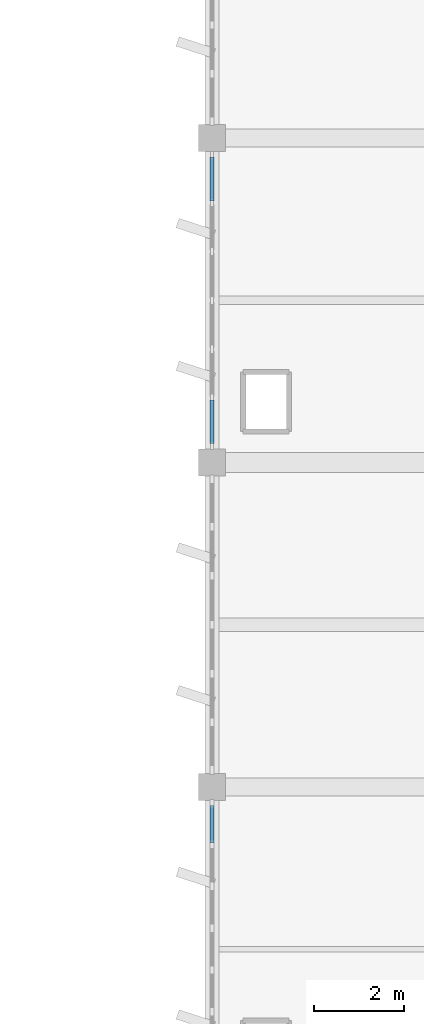
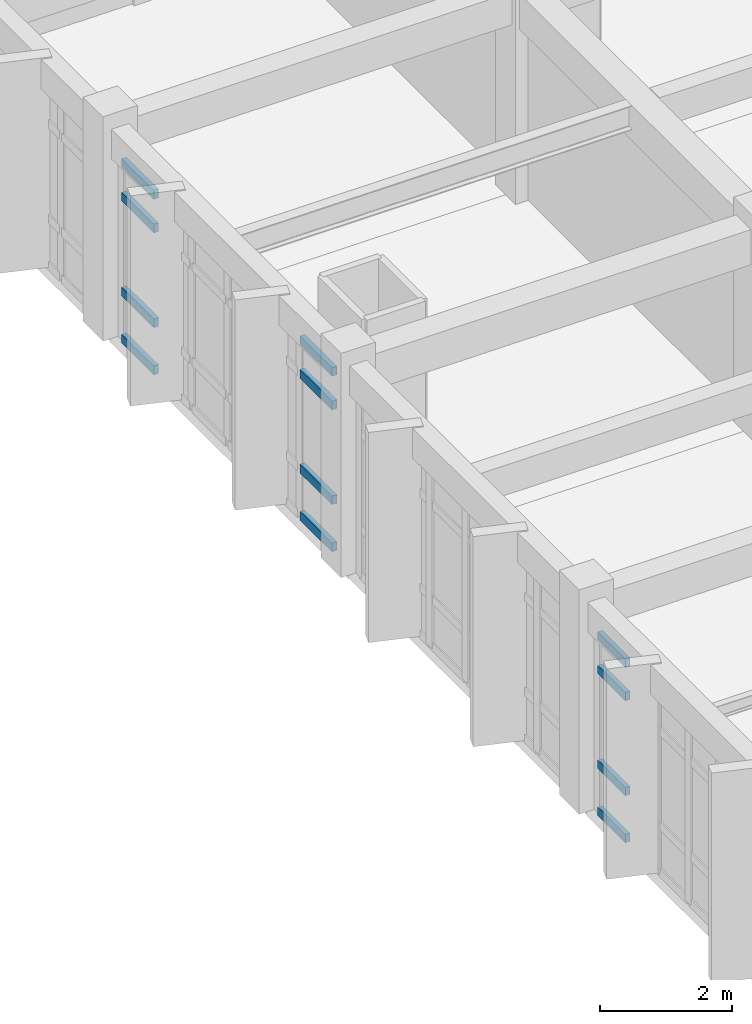
# One storey, part 30 of 62: 12 members, 2 elements without a shape of their own.
"""IFC4 building model written with IfcOpenShell, lengths in metres."""

from ifc_helpers import new_model, si_unit, direction, frame, origin, origin_2d, place, context, subcontext, project, spatial, rectangle, extrude, material, layer, layer_set, material_profile, profile_set, type_object, element, aggregate, save


model = new_model("IFC4")

# Units and contexts
model_context = context("Model", 3, precision=1e-05, world=origin(), true_north=direction((0.0, 1.0)))
body_context = subcontext(model_context, "Body", "Model", "MODEL_VIEW")
ifc_project = project(units=[si_unit("LENGTHUNIT", "METRE"), si_unit("AREAUNIT", "SQUARE_METRE"), si_unit("VOLUMEUNIT", "CUBIC_METRE"), si_unit("PLANEANGLEUNIT", "RADIAN"), si_unit("MASSUNIT", "GRAM", prefix="KILO")], contexts=[model_context])

# Site, building, storey
site_placement = place(None, origin())
site = spatial("IfcSite", under=ifc_project, at=site_placement, CompositionType="ELEMENT")
building_placement = place(site_placement, origin())
building = spatial("IfcBuilding", under=site, at=building_placement, Name="Kavelor Marine Aquarium", CompositionType="ELEMENT")
storey_placement = place(building_placement, frame((0.0, 0.0, 13.5)))
storey = spatial("IfcBuildingStorey", under=building, at=storey_placement, Name="L03", CompositionType="ELEMENT", Elevation=13.5)

# Curtain wall, members
ifc_material_1 = material(Name="Thermally Broken Aluminium and Low-E Glass", Category="aluminium")
ifc_layer_1 = layer(ifc_material_1, 0.156005859375)
ifc_layer_set_1 = layer_set([ifc_layer_1], Name="CW-SYS2")
curtain_wall_type_1 = type_object("IfcCurtainWallType", Name="CW-SYS2", PredefinedType="USERDEFINED", material=ifc_layer_set_1)
curtain_wall_1_placement = place(storey_placement, origin())
curtain_wall_1 = element("IfcCurtainWall", 1, at=curtain_wall_1_placement, inside=storey, type_object=curtain_wall_type_1, Name="cw:y:L03:16_08", ObjectType="Curtain Wall", PredefinedType="USERDEFINED")
ifc_material_2 = material(Name="Anodised Aluminium Alloy 6063-T6", Category="aluminium")
ifc_material_profile_1 = material_profile(ifc_material_2, rectangle(XDim=0.080078125, YDim=0.155029296875, at=origin_2d()), Name="CW-TRN 80x155")
ifc_profile_set_1 = profile_set([ifc_material_profile_1], Name="Anodised Aluminium Alloy 6063-T6")
member_type_1 = type_object("IfcMemberType", Name="CWT-2", PredefinedType="USERDEFINED", material=ifc_profile_set_1)
member_1_placement = place(storey_placement, frame((118.39990234375, 67.18994140625, 0.032470703125), z_axis=(0.0, -1.0, 0.0), x_axis=(1.0, 0.0, 0.0)))
member_1 = element("IfcMember", 2, at=member_1_placement, type_object=member_type_1, Name="CW02 transom 1.1", ObjectType="TRANSOM", PredefinedType="USERDEFINED", context=body_context, shape_type="SweptSolid", body=[
    extrude(rectangle(XDim=0.080078125, YDim=0.155029296875, at=origin_2d()), origin(), (0.0, 0.0, 1.0), 0.83251953125),
])
member_2_placement = place(storey_placement, frame((118.39990234375, 67.18994140625, 0.89990234375), z_axis=(0.0, -1.0, 0.0), x_axis=(1.0, 0.0, 0.0)))
member_2 = element("IfcMember", 3, at=member_2_placement, type_object=member_type_1, Name="CW02 transom 1.2", ObjectType="TRANSOM", PredefinedType="USERDEFINED", context=body_context, shape_type="SweptSolid", body=[
    extrude(rectangle(XDim=0.080078125, YDim=0.155029296875, at=origin_2d()), origin(), (0.0, 0.0, 1.0), 0.83251953125),
])
member_3_placement = place(storey_placement, frame((118.39990234375, 67.18994140625, 2.64990234375), z_axis=(0.0, -1.0, 0.0), x_axis=(1.0, 0.0, 0.0)))
member_3 = element("IfcMember", 4, at=member_3_placement, type_object=member_type_1, Name="CW02 transom 1.3", ObjectType="TRANSOM", PredefinedType="USERDEFINED", context=body_context, shape_type="SweptSolid", body=[
    extrude(rectangle(XDim=0.080078125, YDim=0.155029296875, at=origin_2d()), origin(), (0.0, 0.0, 1.0), 0.83251953125),
])
member_4_placement = place(storey_placement, frame((118.39990234375, 67.18994140625, 3.267578125), z_axis=(0.0, -1.0, 0.0), x_axis=(1.0, 0.0, 0.0)))
member_4 = element("IfcMember", 5, at=member_4_placement, type_object=member_type_1, Name="CW02 transom 1.4", ObjectType="TRANSOM", PredefinedType="USERDEFINED", context=body_context, shape_type="SweptSolid", body=[
    extrude(rectangle(XDim=0.080078125, YDim=0.155029296875, at=origin_2d()), origin(), (0.0, 0.0, 1.0), 0.83251953125),
])
aggregate(curtain_wall_1, [member_1, member_2, member_3, member_4])

ifc_material_3 = material(Name="Thermally Broken Aluminium and Low-E Glass", Category="aluminium")
ifc_layer_2 = layer(ifc_material_3, 0.172119140625)
ifc_layer_set_2 = layer_set([ifc_layer_2], Name="CW-SYS4")
curtain_wall_type_2 = type_object("IfcCurtainWallType", Name="CW-SYS4", PredefinedType="USERDEFINED", material=ifc_layer_set_2)
curtain_wall_2_placement = place(storey_placement, origin())
curtain_wall_2 = element("IfcCurtainWall", 6, at=curtain_wall_2_placement, inside=storey, type_object=curtain_wall_type_2, Name="cw:y:L03:16_10", ObjectType="Curtain Wall", PredefinedType="USERDEFINED")
ifc_material_4 = material(Name="Anodised Aluminium Alloy 6063-T6", Category="aluminium")
ifc_material_profile_2 = material_profile(ifc_material_4, rectangle(XDim=0.0849609375, YDim=0.159912109375, at=origin_2d()), Name="CW-TRN 85x160")
ifc_profile_set_2 = profile_set([ifc_material_profile_2], Name="Anodised Aluminium Alloy 6063-T6")
member_type_2 = type_object("IfcMemberType", Name="CWT-3", PredefinedType="USERDEFINED", material=ifc_profile_set_2)
member_5_placement = place(storey_placement, frame((118.39990234375, 81.580078125, 0.030029296875), z_axis=(0.0, -1.0, 0.0), x_axis=(1.0, 0.0, 0.0)))
member_5 = element("IfcMember", 7, at=member_5_placement, type_object=member_type_2, Name="CW04 transom 1.1", ObjectType="TRANSOM", PredefinedType="USERDEFINED", context=body_context, shape_type="SweptSolid", body=[
    extrude(rectangle(XDim=0.0849609375, YDim=0.159912109375, at=origin_2d()), origin(), (0.0, 0.0, 1.0), 0.97265625),
])
member_6_placement = place(storey_placement, frame((118.39990234375, 81.580078125, 0.89990234375), z_axis=(0.0, -1.0, 0.0), x_axis=(1.0, 0.0, 0.0)))
member_6 = element("IfcMember", 8, at=member_6_placement, type_object=member_type_2, Name="CW04 transom 1.2", ObjectType="TRANSOM", PredefinedType="USERDEFINED", context=body_context, shape_type="SweptSolid", body=[
    extrude(rectangle(XDim=0.0849609375, YDim=0.159912109375, at=origin_2d()), origin(), (0.0, 0.0, 1.0), 0.97265625),
])
member_7_placement = place(storey_placement, frame((118.39990234375, 81.580078125, 2.64990234375), z_axis=(0.0, -1.0, 0.0), x_axis=(1.0, 0.0, 0.0)))
member_7 = element("IfcMember", 9, at=member_7_placement, type_object=member_type_2, Name="CW04 transom 1.3", ObjectType="TRANSOM", PredefinedType="USERDEFINED", context=body_context, shape_type="SweptSolid", body=[
    extrude(rectangle(XDim=0.0849609375, YDim=0.159912109375, at=origin_2d()), origin(), (0.0, 0.0, 1.0), 0.97265625),
])
member_8_placement = place(storey_placement, frame((118.39990234375, 81.580078125, 3.27001953125), z_axis=(0.0, -1.0, 0.0), x_axis=(1.0, 0.0, 0.0)))
member_8 = element("IfcMember", 10, at=member_8_placement, type_object=member_type_2, Name="CW04 transom 1.4", ObjectType="TRANSOM", PredefinedType="USERDEFINED", context=body_context, shape_type="SweptSolid", body=[
    extrude(rectangle(XDim=0.0849609375, YDim=0.159912109375, at=origin_2d()), origin(), (0.0, 0.0, 1.0), 0.97265625),
])
member_9_placement = place(storey_placement, frame((118.39990234375, 76.1923828125, 0.030029296875), z_axis=(0.0, -1.0, 0.0), x_axis=(1.0, 0.0, 0.0)))
member_9 = element("IfcMember", 11, at=member_9_placement, type_object=member_type_2, Name="CW04 transom 6.1", ObjectType="TRANSOM", PredefinedType="USERDEFINED", context=body_context, shape_type="SweptSolid", body=[
    extrude(rectangle(XDim=0.0849609375, YDim=0.159912109375, at=origin_2d()), origin(), (0.0, 0.0, 1.0), 0.972412109375),
])
member_10_placement = place(storey_placement, frame((118.39990234375, 76.1923828125, 0.89990234375), z_axis=(0.0, -1.0, 0.0), x_axis=(1.0, 0.0, 0.0)))
member_10 = element("IfcMember", 12, at=member_10_placement, type_object=member_type_2, Name="CW04 transom 6.2", ObjectType="TRANSOM", PredefinedType="USERDEFINED", context=body_context, shape_type="SweptSolid", body=[
    extrude(rectangle(XDim=0.0849609375, YDim=0.159912109375, at=origin_2d()), origin(), (0.0, 0.0, 1.0), 0.972412109375),
])
member_11_placement = place(storey_placement, frame((118.39990234375, 76.1923828125, 2.64990234375), z_axis=(0.0, -1.0, 0.0), x_axis=(1.0, 0.0, 0.0)))
member_11 = element("IfcMember", 13, at=member_11_placement, type_object=member_type_2, Name="CW04 transom 6.3", ObjectType="TRANSOM", PredefinedType="USERDEFINED", context=body_context, shape_type="SweptSolid", body=[
    extrude(rectangle(XDim=0.0849609375, YDim=0.159912109375, at=origin_2d()), origin(), (0.0, 0.0, 1.0), 0.972412109375),
])
member_12_placement = place(storey_placement, frame((118.39990234375, 76.1923828125, 3.27001953125), z_axis=(0.0, -1.0, 0.0), x_axis=(1.0, 0.0, 0.0)))
member_12 = element("IfcMember", 14, at=member_12_placement, type_object=member_type_2, Name="CW04 transom 6.4", ObjectType="TRANSOM", PredefinedType="USERDEFINED", context=body_context, shape_type="SweptSolid", body=[
    extrude(rectangle(XDim=0.0849609375, YDim=0.159912109375, at=origin_2d()), origin(), (0.0, 0.0, 1.0), 0.972412109375),
])
aggregate(curtain_wall_2, [member_5, member_6, member_7, member_8, member_9, member_10, member_11, member_12])

save(model, "model.ifc")
